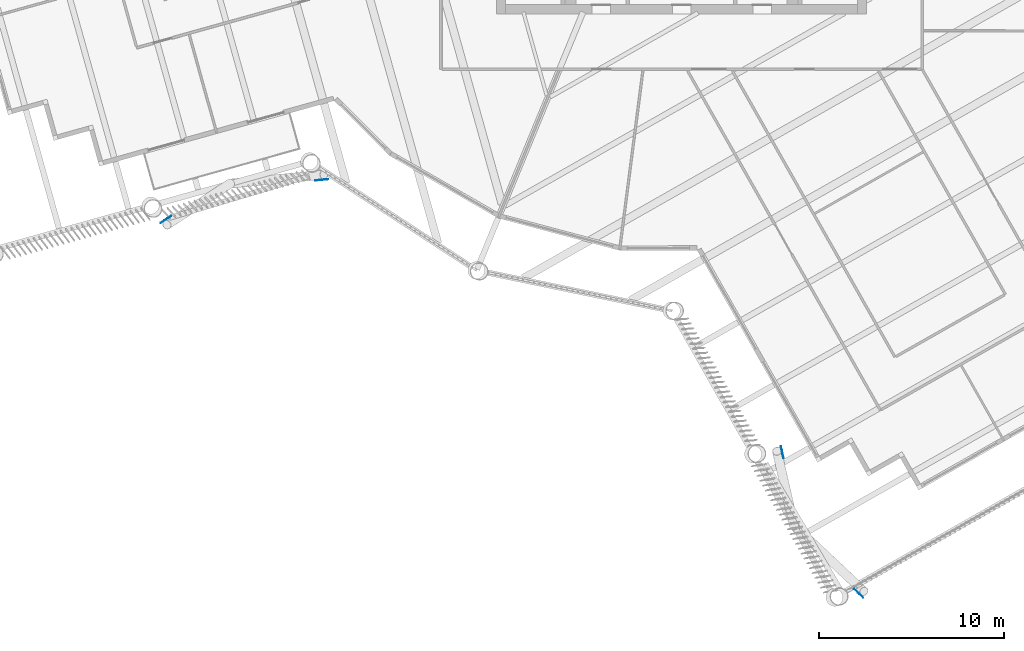
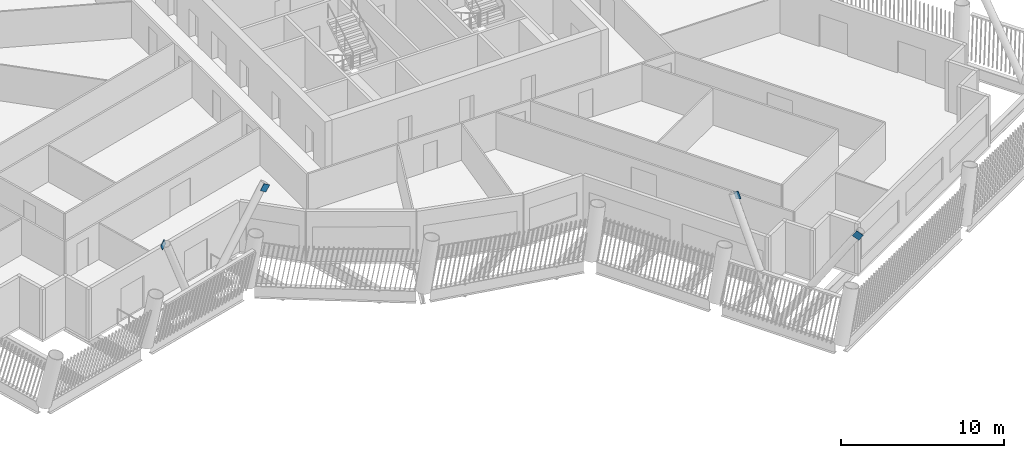
# One storey, part 10 of 21: 4 discrete accessories.
"""IFC4 building model written with IfcOpenShell, lengths in metres."""

from ifc_helpers import new_model, si_unit, direction, frame, origin, origin_2d, place, context, subcontext, project, spatial, rectangle, extrude, material, material_profile, profile_set, type_object, element, save


model = new_model("IFC4")

# Units and contexts
model_context = context("Model", 3, precision=1e-05, world=origin(), true_north=direction((0.0, 1.0)))
body_context = subcontext(model_context, "Body", "Model", "MODEL_VIEW")
ifc_project = project(units=[si_unit("LENGTHUNIT", "METRE"), si_unit("AREAUNIT", "SQUARE_METRE"), si_unit("VOLUMEUNIT", "CUBIC_METRE"), si_unit("PLANEANGLEUNIT", "RADIAN"), si_unit("MASSUNIT", "GRAM", prefix="KILO")], contexts=[model_context])

# Site, building, storey
site_placement = place(None, origin())
site = spatial("IfcSite", under=ifc_project, at=site_placement, CompositionType="ELEMENT")
building_placement = place(site_placement, origin())
building = spatial("IfcBuilding", under=site, at=building_placement, Name="Tarsis Ring Headquarters", CompositionType="ELEMENT")
storey_placement = place(building_placement, frame((0.0, 0.0, 347.0)))
storey = spatial("IfcBuildingStorey", under=building, at=storey_placement, Name="L82", CompositionType="ELEMENT", Elevation=347.0)

# Discrete accessories
ifc_material = material(Name="Structural steel S355", Category="steel")
ifc_material_profile = material_profile(ifc_material, rectangle(XDim=0.02490234375, YDim=0.5, at=origin_2d()), Name="PL 25x500")
ifc_profile_set = profile_set([ifc_material_profile], Name="Structural steel S355")
discrete_accessory_type = type_object("IfcDiscreteAccessoryType", Name="Gusset plate Exo brace 25", PredefinedType="BRACKET", material=ifc_profile_set)
for number, where, z_axis, x_axis, name in (
    (1, (9.663818359375, -44.39697265625, 7.623779296875), (-0.40925189808, 0.384833527073, -0.827294409723), (-0.685039226576, -0.728506182577, 0.0), "Gusset plate GP5"),
    (2, (5.412109375, -36.5673828125, 7.475830078125), (0.1074196981, -0.471181857573, -0.875470539512), (0.974983763602, 0.222276091184, 0.0), "Gusset plate GP5"),
    (3, (-19.294921875, -21.95751953125, 7.800048828125), (-0.543447572868, -0.05126863895, -0.837876042266), (0.093922594596, -0.995579502714, 0.0), "Gusset plate GP5"),
    (4, (-27.947021484375, -24.17236328125, 7.800048828125), (0.388218999037, 0.252464430821, -0.886311299689), (-0.545173661449, 0.838323135111, 0.0), "Gusset plate GP5"),
):
    element("IfcDiscreteAccessory", number, at=place(storey_placement, frame(where, z_axis=z_axis, x_axis=x_axis)), inside=storey, type_object=discrete_accessory_type, Name=name, PredefinedType="BRACKET", context=body_context, shape_type="SweptSolid", body=[
        extrude(rectangle(XDim=0.02490234375, YDim=0.5, at=origin_2d()), origin(), (0.0, 0.0, 1.0), 0.5),
    ])

save(model, "model.ifc")
